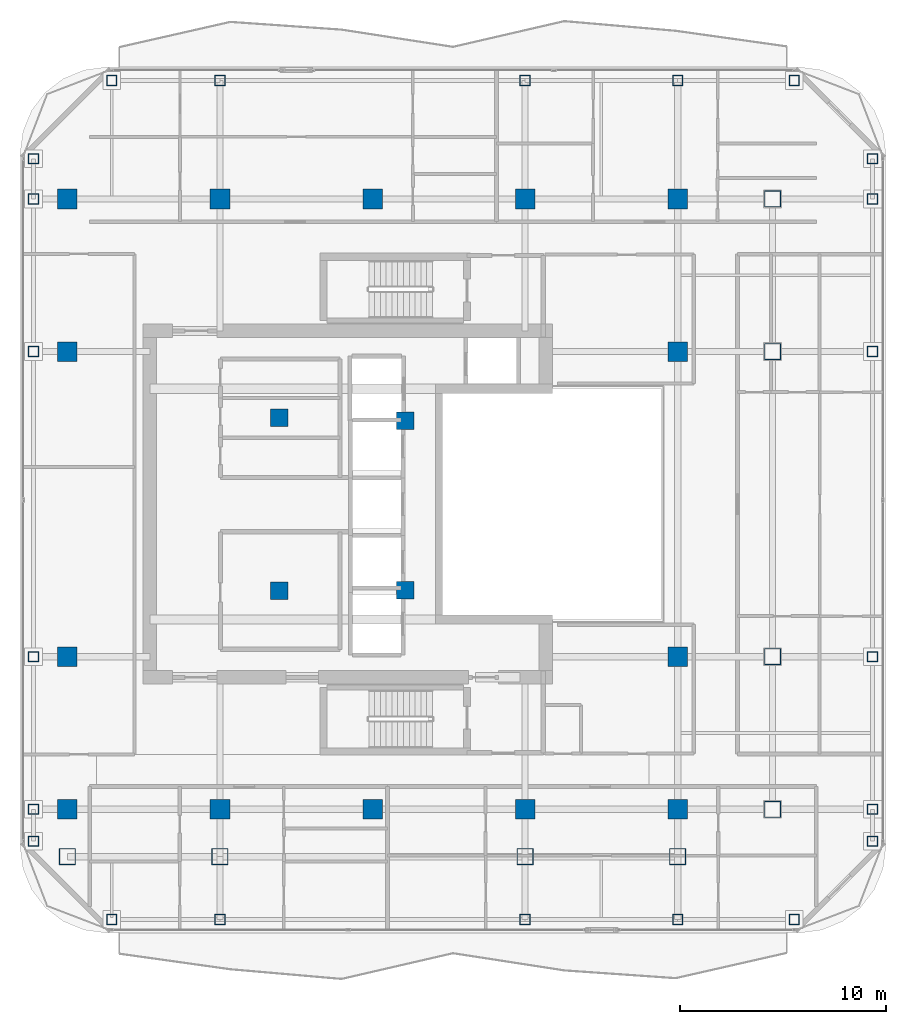
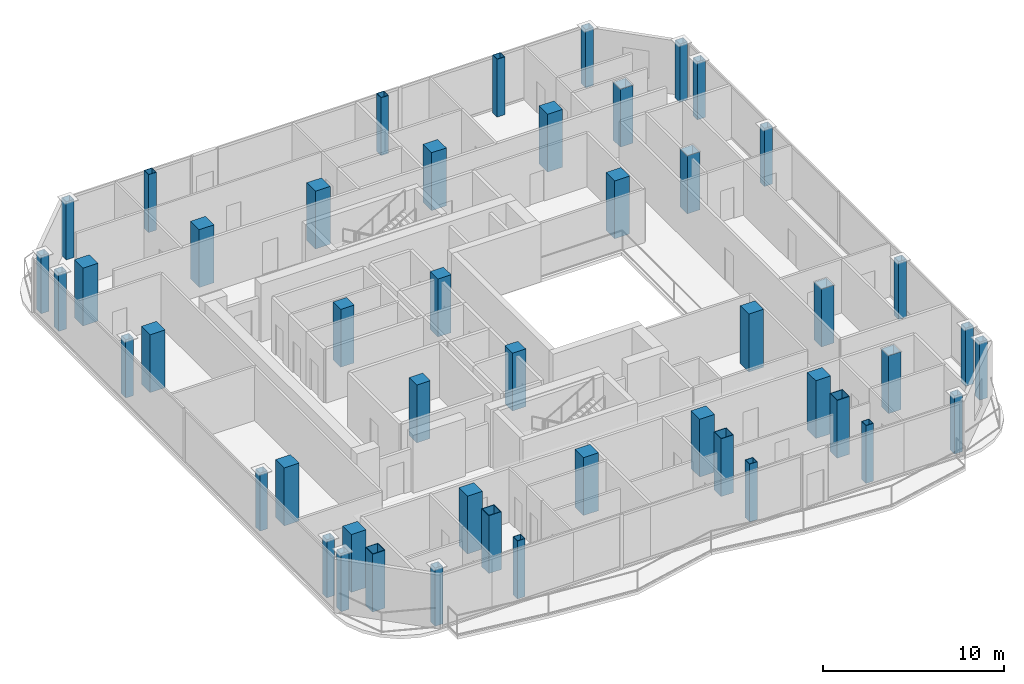
# One storey, part 1 of 22: 48 columns.
"""IFC4 building model written with IfcOpenShell, lengths in metres."""

from ifc_helpers import new_model, si_unit, direction, frame, origin, origin_2d, place, context, subcontext, project, spatial, rectangle, hollow_rectangle, extrude, material, material_profile, profile_set, type_object, element, save


model = new_model("IFC4")

# Units and contexts
model_context = context("Model", 3, precision=1e-05, world=origin(), true_north=direction((0.0, 1.0)))
body_context = subcontext(model_context, "Body", "Model", "MODEL_VIEW")
ifc_project = project(units=[si_unit("LENGTHUNIT", "METRE"), si_unit("AREAUNIT", "SQUARE_METRE"), si_unit("VOLUMEUNIT", "CUBIC_METRE"), si_unit("PLANEANGLEUNIT", "RADIAN"), si_unit("MASSUNIT", "GRAM", prefix="KILO")], contexts=[model_context])

# Site, building, storey
site_placement = place(None, origin())
site = spatial("IfcSite", under=ifc_project, at=site_placement, CompositionType="ELEMENT")
building_placement = place(site_placement, origin())
building = spatial("IfcBuilding", under=site, at=building_placement, Name="Khorvyn Point Tower", CompositionType="ELEMENT")
storey_placement = place(building_placement, frame((0.0, 0.0, 282.0)))
storey = spatial("IfcBuildingStorey", under=building, at=storey_placement, Name="L69", CompositionType="ELEMENT", Elevation=282.0)

# Columns
ifc_material_1 = material(Name="Concrete C40/50", Category="concrete")
ifc_material_profile_1 = material_profile(ifc_material_1, rectangle(XDim=0.85009765625, YDim=0.85009765625, at=origin_2d()))
ifc_profile_set_1 = profile_set([ifc_material_profile_1], Name="Concrete C40/50 RC850x850")
column_type_1 = type_object("IfcColumnType", Name="Concrete C40/50 Column RC850x850", PredefinedType="COLUMN", material=ifc_profile_set_1)
for number, where, z_axis, x_axis, name in (
    (1, (-4.52001953125, -4.199951171875, 0.0), (0.0, 0.0, 1.0), (1.0, 0.0, 0.0), "L69 Crown Core Spine Column 1"),
    (2, (1.580078125, -4.179931640625, 0.0), (0.0, 0.0, 1.0), (1.0, 0.0, 0.0), "L69 Crown Core Spine Column 2"),
    (3, (1.580078125, 4.050048828125, 0.0), (0.0, 0.0, 1.0), (1.0, 0.0, 0.0), "L69 Crown Core Spine Column 3"),
    (4, (-4.52001953125, 4.199951171875, 0.0), (0.0, 0.0, 1.0), (1.0, 0.0, 0.0), "L69 Crown Core Spine Column 4"),
):
    element("IfcColumn", number, at=place(storey_placement, frame(where, z_axis=z_axis, x_axis=x_axis)), inside=storey, type_object=column_type_1, Name=name, PredefinedType="COLUMN", context=body_context, shape_type="SweptSolid", body=[
        extrude(rectangle(XDim=0.85009765625, YDim=0.85009765625, at=origin_2d()), origin(), (0.0, 0.0, 1.0), 3.89990234375),
    ])
ifc_material_profile_2 = material_profile(ifc_material_1, rectangle(XDim=0.949951171875, YDim=0.949951171875, at=origin_2d()))
ifc_profile_set_2 = profile_set([ifc_material_profile_2], Name="Concrete C40/50 RC950x950")
column_type_2 = type_object("IfcColumnType", Name="Concrete C40/50 Column RC950x950", PredefinedType="COLUMN", material=ifc_profile_set_2)
for number, where, z_axis, x_axis, name in (
    (5, (-14.800048828125, -14.800048828125, 0.0), (0.0, 0.0, 1.0), (1.0, 0.0, 0.0), "L69 Mega-Column MC-01"),
    (6, (-7.39990234375, -14.800048828125, 0.0), (0.0, 0.0, 1.0), (1.0, 0.0, 0.0), "L69 Mega-Column MC-02"),
    (7, (0.0, -14.800048828125, 0.0), (0.0, 0.0, 1.0), (1.0, 0.0, 0.0), "L69 Mega-Column MC-03"),
    (8, (7.39990234375, -14.800048828125, 0.0), (0.0, 0.0, 1.0), (1.0, 0.0, 0.0), "L69 Mega-Column MC-04"),
    (9, (14.800048828125, -14.800048828125, 0.0), (0.0, 0.0, 1.0), (1.0, 0.0, 0.0), "L69 Mega-Column MC-05"),
    (10, (-14.800048828125, 14.800048828125, 0.0), (0.0, 0.0, 1.0), (1.0, 0.0, 0.0), "L69 Mega-Column MC-06"),
    (11, (-7.39990234375, 14.800048828125, 0.0), (0.0, 0.0, 1.0), (1.0, 0.0, 0.0), "L69 Mega-Column MC-07"),
    (12, (0.0, 14.800048828125, 0.0), (0.0, 0.0, 1.0), (1.0, 0.0, 0.0), "L69 Mega-Column MC-08"),
    (13, (7.39990234375, 14.800048828125, 0.0), (0.0, 0.0, 1.0), (1.0, 0.0, 0.0), "L69 Mega-Column MC-09"),
    (14, (14.800048828125, 14.800048828125, 0.0), (0.0, 0.0, 1.0), (1.0, 0.0, 0.0), "L69 Mega-Column MC-10"),
    (15, (-14.800048828125, -7.39990234375, 0.0), (0.0, 0.0, 1.0), (1.0, 0.0, 0.0), "L69 Mega-Column MC-11"),
    (16, (-14.800048828125, 7.39990234375, 0.0), (0.0, 0.0, 1.0), (1.0, 0.0, 0.0), "L69 Mega-Column MC-12"),
    (17, (14.800048828125, -7.39990234375, 0.0), (0.0, 0.0, 1.0), (1.0, 0.0, 0.0), "L69 Mega-Column MC-13"),
    (18, (14.800048828125, 7.39990234375, 0.0), (0.0, 0.0, 1.0), (1.0, 0.0, 0.0), "L69 Mega-Column MC-14"),
):
    element("IfcColumn", number, at=place(storey_placement, frame(where, z_axis=z_axis, x_axis=x_axis)), inside=storey, type_object=column_type_2, Name=name, PredefinedType="COLUMN", context=body_context, shape_type="SweptSolid", body=[
        extrude(rectangle(XDim=0.949951171875, YDim=0.949951171875, at=origin_2d()), origin(), (0.0, 0.0, 1.0), 3.89990234375),
    ])
ifc_material_2 = material(Name="Steel S355", Category="steel")
ifc_material_profile_3 = material_profile(ifc_material_2, hollow_rectangle(XDim=0.5, YDim=0.5, WallThickness=0.02490234375, at=origin_2d()))
ifc_profile_set_3 = profile_set([ifc_material_profile_3], Name="Steel S355 BOX500x500x25")
column_type_3 = type_object("IfcColumnType", Name="Steel S355 Structural Column BOX500x500x25", PredefinedType="COLUMN", material=ifc_profile_set_3)
for number, where, z_axis, x_axis, name in (
    (19, (-12.64990234375, -20.14990234375, 0.0), (0.0, 0.0, 1.0), (1.0, 0.0, 0.0), "L69 Perimeter Tube Column TC-01"),
    (20, (20.449951171875, -20.14990234375, 0.0), (0.0, 0.0, 1.0), (1.0, 0.0, 0.0), "L69 Perimeter Tube Column TC-02"),
    (21, (-12.64990234375, 20.550048828125, 0.0), (0.0, 0.0, 1.0), (1.0, 0.0, 0.0), "L69 Perimeter Tube Column TC-03"),
    (22, (20.449951171875, 20.550048828125, 0.0), (0.0, 0.0, 1.0), (1.0, 0.0, 0.0), "L69 Perimeter Tube Column TC-04"),
    (23, (-16.449951171875, -16.35009765625, 0.0), (0.0, 0.0, 1.0), (1.0, 0.0, 0.0), "L69 Perimeter Tube Column TC-05"),
    (24, (-16.449951171875, 16.75, 0.0), (0.0, 0.0, 1.0), (1.0, 0.0, 0.0), "L69 Perimeter Tube Column TC-06"),
    (25, (24.25, -16.35009765625, 0.0), (0.0, 0.0, 1.0), (1.0, 0.0, 0.0), "L69 Perimeter Tube Column TC-07"),
    (26, (24.25, 16.75, 0.0), (0.0, 0.0, 1.0), (1.0, 0.0, 0.0), "L69 Perimeter Tube Column TC-08"),
    (27, (-7.39990234375, -20.14990234375, 0.0), (0.0, 0.0, 1.0), (1.0, 0.0, 0.0), "L69 Perimeter Tube Column TC-09"),
    (28, (-7.39990234375, 20.550048828125, 0.0), (0.0, 0.0, 1.0), (1.0, 0.0, 0.0), "L69 Perimeter Tube Column TC-10"),
    (29, (7.39990234375, -20.14990234375, 0.0), (0.0, 0.0, 1.0), (1.0, 0.0, 0.0), "L69 Perimeter Tube Column TC-11"),
    (30, (7.39990234375, 20.550048828125, 0.0), (0.0, 0.0, 1.0), (1.0, 0.0, 0.0), "L69 Perimeter Tube Column TC-12"),
    (31, (14.800048828125, -20.14990234375, 0.0), (0.0, 0.0, 1.0), (1.0, 0.0, 0.0), "L69 Perimeter Tube Column TC-13"),
    (32, (14.800048828125, 20.550048828125, 0.0), (0.0, 0.0, 1.0), (1.0, 0.0, 0.0), "L69 Perimeter Tube Column TC-14"),
    (33, (-16.449951171875, -14.800048828125, 0.0), (0.0, 0.0, 1.0), (1.0, 0.0, 0.0), "L69 Perimeter Tube Column TC-15"),
    (34, (24.25, -14.800048828125, 0.0), (0.0, 0.0, 1.0), (1.0, 0.0, 0.0), "L69 Perimeter Tube Column TC-16"),
    (35, (-16.449951171875, -7.39990234375, 0.0), (0.0, 0.0, 1.0), (1.0, 0.0, 0.0), "L69 Perimeter Tube Column TC-17"),
    (36, (24.25, -7.39990234375, 0.0), (0.0, 0.0, 1.0), (1.0, 0.0, 0.0), "L69 Perimeter Tube Column TC-18"),
    (37, (-16.449951171875, 7.39990234375, 0.0), (0.0, 0.0, 1.0), (1.0, 0.0, 0.0), "L69 Perimeter Tube Column TC-19"),
    (38, (24.25, 7.39990234375, 0.0), (0.0, 0.0, 1.0), (1.0, 0.0, 0.0), "L69 Perimeter Tube Column TC-20"),
    (39, (-16.449951171875, 14.800048828125, 0.0), (0.0, 0.0, 1.0), (1.0, 0.0, 0.0), "L69 Perimeter Tube Column TC-21"),
    (40, (24.25, 14.800048828125, 0.0), (0.0, 0.0, 1.0), (1.0, 0.0, 0.0), "L69 Perimeter Tube Column TC-22"),
):
    element("IfcColumn", number, at=place(storey_placement, frame(where, z_axis=z_axis, x_axis=x_axis)), inside=storey, type_object=column_type_3, Name=name, PredefinedType="COLUMN", context=body_context, shape_type="SweptSolid", body=[
        extrude(hollow_rectangle(XDim=0.5, YDim=0.5, WallThickness=0.02490234375, at=origin_2d()), origin(), (0.0, 0.0, 1.0), 3.89990234375),
    ])
ifc_material_3 = material(Name="Steel S450", Category="steel")
ifc_material_profile_4 = material_profile(ifc_material_3, hollow_rectangle(XDim=0.800048828125, YDim=0.800048828125, WallThickness=0.035888671875, at=origin_2d()))
ifc_profile_set_4 = profile_set([ifc_material_profile_4], Name="Steel S450 BOX800x800x36")
column_type_4 = type_object("IfcColumnType", Name="Steel S450 Structural Column BOX800x800x36", PredefinedType="COLUMN", material=ifc_profile_set_4)
for number, where, z_axis, x_axis, name in (
    (41, (19.39990234375, -14.800048828125, 0.0), (0.0, 0.0, 1.0), (1.0, 0.0, 0.0), "L69 Intermediate Column ICE--14"),
    (42, (19.39990234375, -7.39990234375, 0.0), (0.0, 0.0, 1.0), (1.0, 0.0, 0.0), "L69 Intermediate Column ICE--7"),
    (43, (19.39990234375, 7.39990234375, 0.0), (0.0, 0.0, 1.0), (1.0, 0.0, 0.0), "L69 Intermediate Column ICE-7"),
    (44, (19.39990234375, 14.800048828125, 0.0), (0.0, 0.0, 1.0), (1.0, 0.0, 0.0), "L69 Intermediate Column ICE-14"),
    (45, (-14.800048828125, -17.10009765625, 0.0), (0.0, 0.0, 1.0), (1.0, 0.0, 0.0), "L69 Intermediate Column ICS--14"),
    (46, (-7.39990234375, -17.10009765625, 0.0), (0.0, 0.0, 1.0), (1.0, 0.0, 0.0), "L69 Intermediate Column ICS--7"),
    (47, (7.39990234375, -17.10009765625, 0.0), (0.0, 0.0, 1.0), (1.0, 0.0, 0.0), "L69 Intermediate Column ICS-7"),
    (48, (14.800048828125, -17.10009765625, 0.0), (0.0, 0.0, 1.0), (1.0, 0.0, 0.0), "L69 Intermediate Column ICS-14"),
):
    element("IfcColumn", number, at=place(storey_placement, frame(where, z_axis=z_axis, x_axis=x_axis)), inside=storey, type_object=column_type_4, Name=name, PredefinedType="COLUMN", context=body_context, shape_type="SweptSolid", body=[
        extrude(hollow_rectangle(XDim=0.800048828125, YDim=0.800048828125, WallThickness=0.035888671875, at=origin_2d()), origin(), (0.0, 0.0, 1.0), 3.89990234375),
    ])

save(model, "model.ifc")
